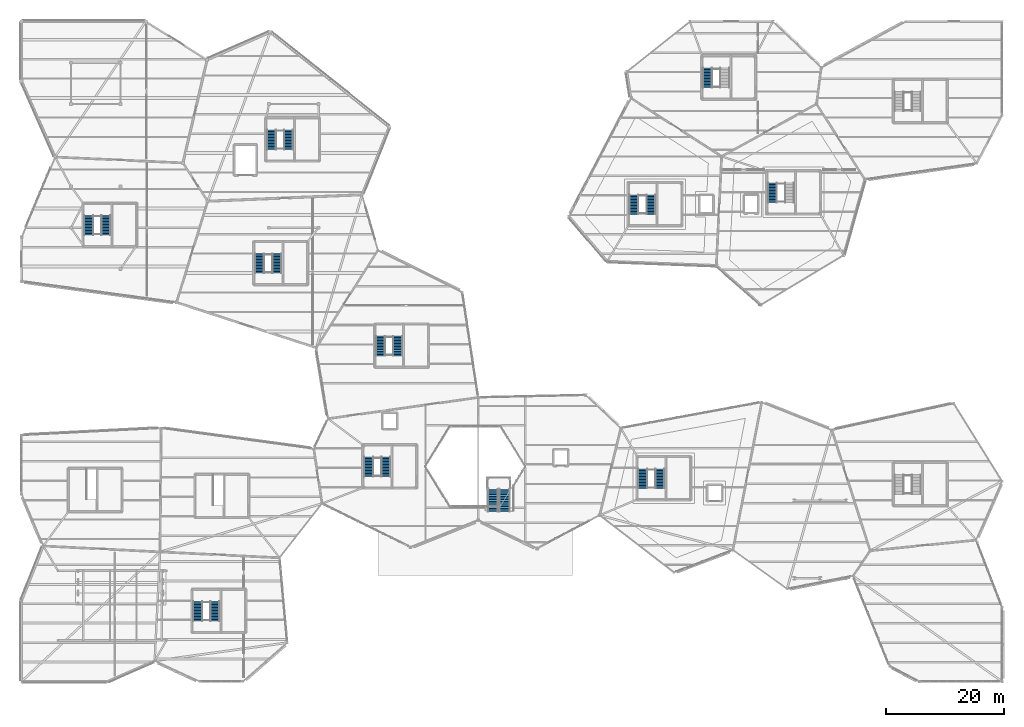
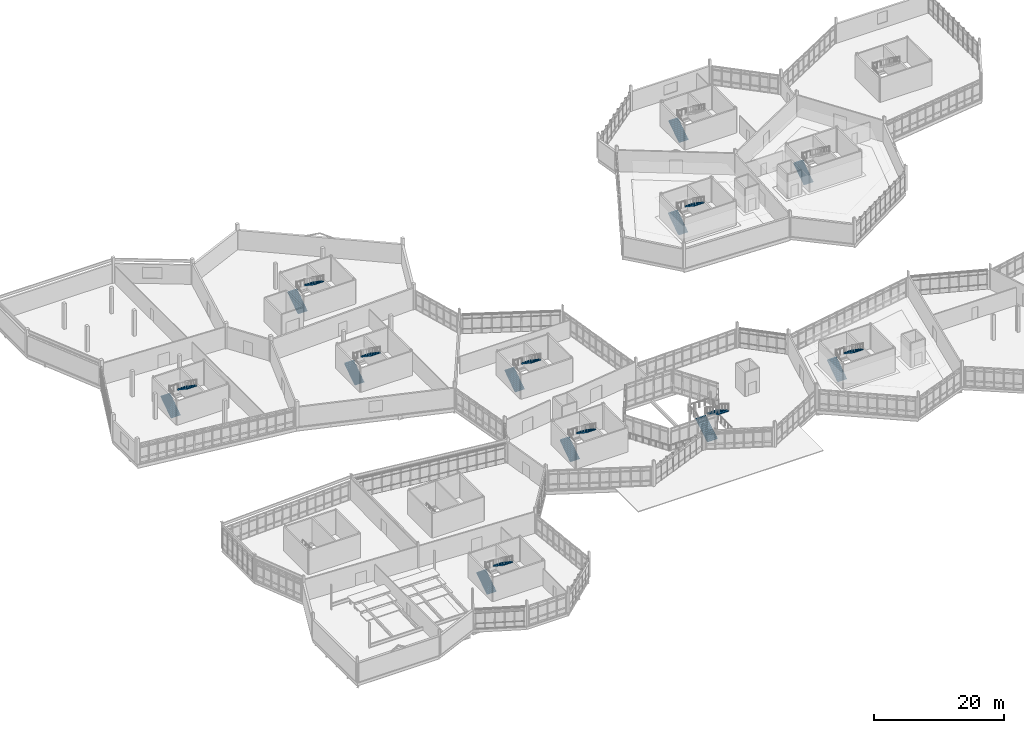
# One storey, part 120 of 134: 20 stair flights, 11 elements without a shape of their own.
"""IFC4 building model written with IfcOpenShell, lengths in metres."""

from ifc_helpers import new_model, si_unit, direction, frame, origin, place, context, subcontext, project, spatial, polyline, outline, extrude, material, type_object, element, aggregate, save


model = new_model("IFC4")

# Units and contexts
model_context = context("Model", 3, precision=1e-05, world=origin(), true_north=direction((0.0, 1.0)))
body_context = subcontext(model_context, "Body", "Model", "MODEL_VIEW")
ifc_project = project(units=[si_unit("LENGTHUNIT", "METRE"), si_unit("AREAUNIT", "SQUARE_METRE"), si_unit("VOLUMEUNIT", "CUBIC_METRE"), si_unit("PLANEANGLEUNIT", "RADIAN"), si_unit("MASSUNIT", "GRAM", prefix="KILO")], contexts=[model_context])

# Site, building, storey
site_placement = place(None, origin())
site = spatial("IfcSite", under=ifc_project, at=site_placement, CompositionType="ELEMENT")
building_placement = place(site_placement, origin())
building = spatial("IfcBuilding", under=site, at=building_placement, Name="Tameran Prism Museum", CompositionType="ELEMENT")
storey_placement = place(building_placement, frame((0.0, 0.0, 5.39990234375)))
storey = spatial("IfcBuildingStorey", under=building, at=storey_placement, Name="L01", CompositionType="ELEMENT", Elevation=5.39990234375)

# Stair, stair flights
ifc_material_1 = material(Name="Concrete N40 (40 MPa)", Category="concrete")
stair_type_1 = type_object("IfcStairType", Name="ST-CORE-48", PredefinedType="HALF_TURN_STAIR", material=ifc_material_1)
stair_1_placement = place(storey_placement, origin())
stair_1 = element("IfcStair", 1, at=stair_1_placement, inside=storey, type_object=stair_type_1, Name="Fire-Isolated Stair ST-01-L01", PredefinedType="HALF_TURN_STAIR")
ifc_material_2 = material(Name="Concrete N40 (40 MPa)", Category="concrete")
stair_flight_type_1 = type_object("IfcStairFlightType", Name="SF-RC-165", PredefinedType="STRAIGHT", material=ifc_material_2)
stair_flight_1_placement = place(storey_placement, frame((103.9150390625, 79.280029296875, 0.0), z_axis=(0.0, 0.0, 1.0), x_axis=(0.0, 1.0, 0.0)))
stair_flight_1 = element("IfcStairFlight", 2, at=stair_flight_1_placement, type_object=stair_flight_type_1, Name="ST-01-L01 flight 1", NumberOfRisers=14, NumberOfTreads=13, PredefinedType="STRAIGHT", RiserHeight=0.171429, TreadLength=0.255, context=body_context, shape_type="SweptSolid", body=[
    extrude(outline(polyline([(0.0, 0.0), (0.0, 0.17138671875), (0.2548828125, 0.17138671875), (0.2548828125, 0.3427734375), (0.510009765625, 0.3427734375), (0.510009765625, 0.514404296875), (0.764892578125, 0.514404296875), (0.764892578125, 0.685791015625), (1.02001953125, 0.685791015625), (1.02001953125, 0.857177734375), (1.27490234375, 0.857177734375), (1.27490234375, 1.028564453125), (1.530029296875, 1.028564453125), (1.530029296875, 1.199951171875), (1.784912109375, 1.199951171875), (1.784912109375, 1.371337890625), (2.0400390625, 1.371337890625), (2.0400390625, 1.54296875), (2.294921875, 1.54296875), (2.294921875, 1.71435546875), (2.550048828125, 1.71435546875), (2.550048828125, 1.8857421875), (2.804931640625, 1.8857421875), (2.804931640625, 2.05712890625), (3.06005859375, 2.05712890625), (3.06005859375, 2.228515625), (3.31494140625, 2.228515625), (3.31494140625, 2.39990234375), (3.31494140625, 2.0478515625), (0.268798828125, 0.0), (0.0, 0.0)])), frame((0.0, 0.824951171875, 0.0), z_axis=(0.0, -1.0, 0.0), x_axis=(1.0, 0.0, 0.0)), (0.0, 0.0, 1.0), 1.64990234375),
])
stair_flight_2_placement = place(storey_placement, frame((106.8349609375, 82.594970703125, 2.400146484375), z_axis=(0.0, 0.0, 1.0), x_axis=(0.0, -1.0, 0.0)))
stair_flight_2 = element("IfcStairFlight", 3, at=stair_flight_2_placement, type_object=stair_flight_type_1, Name="ST-01-L01 flight 2", NumberOfRisers=14, NumberOfTreads=13, PredefinedType="STRAIGHT", RiserHeight=0.171429, TreadLength=0.255, context=body_context, shape_type="SweptSolid", body=[
    extrude(outline(polyline([(0.0, 0.0), (0.0, 0.17138671875), (0.2548828125, 0.17138671875), (0.2548828125, 0.3427734375), (0.510009765625, 0.3427734375), (0.510009765625, 0.514404296875), (0.764892578125, 0.514404296875), (0.764892578125, 0.685791015625), (1.02001953125, 0.685791015625), (1.02001953125, 0.857177734375), (1.27490234375, 0.857177734375), (1.27490234375, 1.028564453125), (1.530029296875, 1.028564453125), (1.530029296875, 1.199951171875), (1.784912109375, 1.199951171875), (1.784912109375, 1.371337890625), (2.0400390625, 1.371337890625), (2.0400390625, 1.54296875), (2.294921875, 1.54296875), (2.294921875, 1.71435546875), (2.550048828125, 1.71435546875), (2.550048828125, 1.8857421875), (2.804931640625, 1.8857421875), (2.804931640625, 2.05712890625), (3.06005859375, 2.05712890625), (3.06005859375, 2.228515625), (3.31494140625, 2.228515625), (3.31494140625, 2.39990234375), (3.31494140625, 2.0478515625), (0.268798828125, 0.0), (0.0, 0.0)])), frame((0.0, 0.824951171875, 0.0), z_axis=(0.0, -1.0, 0.0), x_axis=(1.0, 0.0, 0.0)), (0.0, 0.0, 1.0), 1.64990234375),
])
aggregate(stair_1, [stair_flight_1, stair_flight_2])

# Stair, stair flight
stair_2_placement = place(storey_placement, origin())
stair_2 = element("IfcStair", 4, at=stair_2_placement, inside=storey, type_object=stair_type_1, Name="Fire-Isolated Stair ST-02-L01", PredefinedType="HALF_TURN_STAIR")
stair_flight_3_placement = place(storey_placement, frame((127.4150390625, 81.280029296875, 0.0), z_axis=(0.0, 0.0, 1.0), x_axis=(0.0, 1.0, 0.0)))
stair_flight_3 = element("IfcStairFlight", 5, at=stair_flight_3_placement, type_object=stair_flight_type_1, Name="ST-02-L01 flight 1", NumberOfRisers=14, NumberOfTreads=13, PredefinedType="STRAIGHT", RiserHeight=0.171429, TreadLength=0.255, context=body_context, shape_type="SweptSolid", body=[
    extrude(outline(polyline([(0.0, 0.0), (0.0, 0.17138671875), (0.2548828125, 0.17138671875), (0.2548828125, 0.3427734375), (0.510009765625, 0.3427734375), (0.510009765625, 0.514404296875), (0.764892578125, 0.514404296875), (0.764892578125, 0.685791015625), (1.02001953125, 0.685791015625), (1.02001953125, 0.857177734375), (1.27490234375, 0.857177734375), (1.27490234375, 1.028564453125), (1.530029296875, 1.028564453125), (1.530029296875, 1.199951171875), (1.784912109375, 1.199951171875), (1.784912109375, 1.371337890625), (2.0400390625, 1.371337890625), (2.0400390625, 1.54296875), (2.294921875, 1.54296875), (2.294921875, 1.71435546875), (2.550048828125, 1.71435546875), (2.550048828125, 1.8857421875), (2.804931640625, 1.8857421875), (2.804931640625, 2.05712890625), (3.06005859375, 2.05712890625), (3.06005859375, 2.228515625), (3.31494140625, 2.228515625), (3.31494140625, 2.39990234375), (3.31494140625, 2.0478515625), (0.268798828125, 0.0), (0.0, 0.0)])), frame((0.0, 0.824951171875, 0.0), z_axis=(0.0, -1.0, 0.0), x_axis=(1.0, 0.0, 0.0)), (0.0, 0.0, 1.0), 1.64990234375),
])
aggregate(stair_2, [stair_flight_3])

stair_3_placement = place(storey_placement, origin())
stair_3 = element("IfcStair", 6, at=stair_3_placement, inside=storey, type_object=stair_type_1, Name="Fire-Isolated Stair ST-07-L01", PredefinedType="HALF_TURN_STAIR")
stair_flight_4_placement = place(storey_placement, frame((116.4150390625, 100.780029296875, 0.0), z_axis=(0.0, 0.0, 1.0), x_axis=(0.0, 1.0, 0.0)))
stair_flight_4 = element("IfcStairFlight", 7, at=stair_flight_4_placement, type_object=stair_flight_type_1, Name="ST-07-L01 flight 1", NumberOfRisers=14, NumberOfTreads=13, PredefinedType="STRAIGHT", RiserHeight=0.171429, TreadLength=0.255, context=body_context, shape_type="SweptSolid", body=[
    extrude(outline(polyline([(0.0, 0.0), (0.0, 0.17138671875), (0.2548828125, 0.17138671875), (0.2548828125, 0.3427734375), (0.510009765625, 0.3427734375), (0.510009765625, 0.514404296875), (0.764892578125, 0.514404296875), (0.764892578125, 0.685791015625), (1.02001953125, 0.685791015625), (1.02001953125, 0.857177734375), (1.27490234375, 0.857177734375), (1.27490234375, 1.028564453125), (1.530029296875, 1.028564453125), (1.530029296875, 1.199951171875), (1.784912109375, 1.199951171875), (1.784912109375, 1.371337890625), (2.0400390625, 1.371337890625), (2.0400390625, 1.54296875), (2.294921875, 1.54296875), (2.294921875, 1.71435546875), (2.550048828125, 1.71435546875), (2.550048828125, 1.8857421875), (2.804931640625, 1.8857421875), (2.804931640625, 2.05712890625), (3.06005859375, 2.05712890625), (3.06005859375, 2.228515625), (3.31494140625, 2.228515625), (3.31494140625, 2.39990234375), (3.31494140625, 2.0478515625), (0.268798828125, 0.0), (0.0, 0.0)])), frame((0.0, 0.824951171875, 0.0), z_axis=(0.0, -1.0, 0.0), x_axis=(1.0, 0.0, 0.0)), (0.0, 0.0, 1.0), 1.64990234375),
])
aggregate(stair_3, [stair_flight_4])

# Stair, stair flights
stair_4_placement = place(storey_placement, origin())
stair_4 = element("IfcStair", 8, at=stair_4_placement, inside=storey, type_object=stair_type_1, Name="Fire-Isolated Stair ST-03-L01", PredefinedType="HALF_TURN_STAIR")
stair_flight_5_placement = place(storey_placement, frame((58.9150390625, 34.780029296875, 0.0), z_axis=(0.0, 0.0, 1.0), x_axis=(0.0, 1.0, 0.0)))
stair_flight_5 = element("IfcStairFlight", 9, at=stair_flight_5_placement, type_object=stair_flight_type_1, Name="ST-03-L01 flight 1", NumberOfRisers=14, NumberOfTreads=13, PredefinedType="STRAIGHT", RiserHeight=0.171429, TreadLength=0.255, context=body_context, shape_type="SweptSolid", body=[
    extrude(outline(polyline([(0.0, 0.0), (0.0, 0.17138671875), (0.2548828125, 0.17138671875), (0.2548828125, 0.3427734375), (0.510009765625, 0.3427734375), (0.510009765625, 0.514404296875), (0.764892578125, 0.514404296875), (0.764892578125, 0.685791015625), (1.02001953125, 0.685791015625), (1.02001953125, 0.857177734375), (1.27490234375, 0.857177734375), (1.27490234375, 1.028564453125), (1.530029296875, 1.028564453125), (1.530029296875, 1.199951171875), (1.784912109375, 1.199951171875), (1.784912109375, 1.371337890625), (2.0400390625, 1.371337890625), (2.0400390625, 1.54296875), (2.294921875, 1.54296875), (2.294921875, 1.71435546875), (2.550048828125, 1.71435546875), (2.550048828125, 1.8857421875), (2.804931640625, 1.8857421875), (2.804931640625, 2.05712890625), (3.06005859375, 2.05712890625), (3.06005859375, 2.228515625), (3.31494140625, 2.228515625), (3.31494140625, 2.39990234375), (3.31494140625, 2.0478515625), (0.268798828125, 0.0), (0.0, 0.0)])), frame((0.0, 0.824951171875, 0.0), z_axis=(0.0, -1.0, 0.0), x_axis=(1.0, 0.0, 0.0)), (0.0, 0.0, 1.0), 1.64990234375),
])
stair_flight_6_placement = place(storey_placement, frame((61.8349609375, 38.094970703125, 2.400146484375), z_axis=(0.0, 0.0, 1.0), x_axis=(0.0, -1.0, 0.0)))
stair_flight_6 = element("IfcStairFlight", 10, at=stair_flight_6_placement, type_object=stair_flight_type_1, Name="ST-03-L01 flight 2", NumberOfRisers=14, NumberOfTreads=13, PredefinedType="STRAIGHT", RiserHeight=0.171429, TreadLength=0.255, context=body_context, shape_type="SweptSolid", body=[
    extrude(outline(polyline([(0.0, 0.0), (0.0, 0.17138671875), (0.2548828125, 0.17138671875), (0.2548828125, 0.3427734375), (0.510009765625, 0.3427734375), (0.510009765625, 0.514404296875), (0.764892578125, 0.514404296875), (0.764892578125, 0.685791015625), (1.02001953125, 0.685791015625), (1.02001953125, 0.857177734375), (1.27490234375, 0.857177734375), (1.27490234375, 1.028564453125), (1.530029296875, 1.028564453125), (1.530029296875, 1.199951171875), (1.784912109375, 1.199951171875), (1.784912109375, 1.371337890625), (2.0400390625, 1.371337890625), (2.0400390625, 1.54296875), (2.294921875, 1.54296875), (2.294921875, 1.71435546875), (2.550048828125, 1.71435546875), (2.550048828125, 1.8857421875), (2.804931640625, 1.8857421875), (2.804931640625, 2.05712890625), (3.06005859375, 2.05712890625), (3.06005859375, 2.228515625), (3.31494140625, 2.228515625), (3.31494140625, 2.39990234375), (3.31494140625, 2.0478515625), (0.268798828125, 0.0), (0.0, 0.0)])), frame((0.0, 0.824951171875, 0.0), z_axis=(0.0, -1.0, 0.0), x_axis=(1.0, 0.0, 0.0)), (0.0, 0.0, 1.0), 1.64990234375),
])
aggregate(stair_4, [stair_flight_5, stair_flight_6])

stair_5_placement = place(storey_placement, origin())
stair_5 = element("IfcStair", 11, at=stair_5_placement, inside=storey, type_object=stair_type_1, Name="Fire-Isolated Stair ST-08-L01", PredefinedType="HALF_TURN_STAIR")
stair_flight_7_placement = place(storey_placement, frame((60.9150390625, 55.280029296875, 0.0), z_axis=(0.0, 0.0, 1.0), x_axis=(0.0, 1.0, 0.0)))
stair_flight_7 = element("IfcStairFlight", 12, at=stair_flight_7_placement, type_object=stair_flight_type_1, Name="ST-08-L01 flight 1", NumberOfRisers=14, NumberOfTreads=13, PredefinedType="STRAIGHT", RiserHeight=0.171429, TreadLength=0.255, context=body_context, shape_type="SweptSolid", body=[
    extrude(outline(polyline([(0.0, 0.0), (0.0, 0.17138671875), (0.2548828125, 0.17138671875), (0.2548828125, 0.3427734375), (0.510009765625, 0.3427734375), (0.510009765625, 0.514404296875), (0.764892578125, 0.514404296875), (0.764892578125, 0.685791015625), (1.02001953125, 0.685791015625), (1.02001953125, 0.857177734375), (1.27490234375, 0.857177734375), (1.27490234375, 1.028564453125), (1.530029296875, 1.028564453125), (1.530029296875, 1.199951171875), (1.784912109375, 1.199951171875), (1.784912109375, 1.371337890625), (2.0400390625, 1.371337890625), (2.0400390625, 1.54296875), (2.294921875, 1.54296875), (2.294921875, 1.71435546875), (2.550048828125, 1.71435546875), (2.550048828125, 1.8857421875), (2.804931640625, 1.8857421875), (2.804931640625, 2.05712890625), (3.06005859375, 2.05712890625), (3.06005859375, 2.228515625), (3.31494140625, 2.228515625), (3.31494140625, 2.39990234375), (3.31494140625, 2.0478515625), (0.268798828125, 0.0), (0.0, 0.0)])), frame((0.0, 0.824951171875, 0.0), z_axis=(0.0, -1.0, 0.0), x_axis=(1.0, 0.0, 0.0)), (0.0, 0.0, 1.0), 1.64990234375),
])
stair_flight_8_placement = place(storey_placement, frame((63.8349609375, 58.594970703125, 2.400146484375), z_axis=(0.0, 0.0, 1.0), x_axis=(0.0, -1.0, 0.0)))
stair_flight_8 = element("IfcStairFlight", 13, at=stair_flight_8_placement, type_object=stair_flight_type_1, Name="ST-08-L01 flight 2", NumberOfRisers=14, NumberOfTreads=13, PredefinedType="STRAIGHT", RiserHeight=0.171429, TreadLength=0.255, context=body_context, shape_type="SweptSolid", body=[
    extrude(outline(polyline([(0.0, 0.0), (0.0, 0.17138671875), (0.2548828125, 0.17138671875), (0.2548828125, 0.3427734375), (0.510009765625, 0.3427734375), (0.510009765625, 0.514404296875), (0.764892578125, 0.514404296875), (0.764892578125, 0.685791015625), (1.02001953125, 0.685791015625), (1.02001953125, 0.857177734375), (1.27490234375, 0.857177734375), (1.27490234375, 1.028564453125), (1.530029296875, 1.028564453125), (1.530029296875, 1.199951171875), (1.784912109375, 1.199951171875), (1.784912109375, 1.371337890625), (2.0400390625, 1.371337890625), (2.0400390625, 1.54296875), (2.294921875, 1.54296875), (2.294921875, 1.71435546875), (2.550048828125, 1.71435546875), (2.550048828125, 1.8857421875), (2.804931640625, 1.8857421875), (2.804931640625, 2.05712890625), (3.06005859375, 2.05712890625), (3.06005859375, 2.228515625), (3.31494140625, 2.228515625), (3.31494140625, 2.39990234375), (3.31494140625, 2.0478515625), (0.268798828125, 0.0), (0.0, 0.0)])), frame((0.0, 0.824951171875, 0.0), z_axis=(0.0, -1.0, 0.0), x_axis=(1.0, 0.0, 0.0)), (0.0, 0.0, 1.0), 1.64990234375),
])
aggregate(stair_5, [stair_flight_7, stair_flight_8])

stair_6_placement = place(storey_placement, origin())
stair_6 = element("IfcStair", 14, at=stair_6_placement, inside=storey, type_object=stair_type_1, Name="Fire-Isolated Stair ST-04-L01", PredefinedType="HALF_TURN_STAIR")
stair_flight_9_placement = place(storey_placement, frame((105.4150390625, 32.780029296875, 0.0), z_axis=(0.0, 0.0, 1.0), x_axis=(0.0, 1.0, 0.0)))
stair_flight_9 = element("IfcStairFlight", 15, at=stair_flight_9_placement, type_object=stair_flight_type_1, Name="ST-04-L01 flight 1", NumberOfRisers=14, NumberOfTreads=13, PredefinedType="STRAIGHT", RiserHeight=0.171429, TreadLength=0.255, context=body_context, shape_type="SweptSolid", body=[
    extrude(outline(polyline([(0.0, 0.0), (0.0, 0.17138671875), (0.2548828125, 0.17138671875), (0.2548828125, 0.3427734375), (0.510009765625, 0.3427734375), (0.510009765625, 0.514404296875), (0.764892578125, 0.514404296875), (0.764892578125, 0.685791015625), (1.02001953125, 0.685791015625), (1.02001953125, 0.857177734375), (1.27490234375, 0.857177734375), (1.27490234375, 1.028564453125), (1.530029296875, 1.028564453125), (1.530029296875, 1.199951171875), (1.784912109375, 1.199951171875), (1.784912109375, 1.371337890625), (2.0400390625, 1.371337890625), (2.0400390625, 1.54296875), (2.294921875, 1.54296875), (2.294921875, 1.71435546875), (2.550048828125, 1.71435546875), (2.550048828125, 1.8857421875), (2.804931640625, 1.8857421875), (2.804931640625, 2.05712890625), (3.06005859375, 2.05712890625), (3.06005859375, 2.228515625), (3.31494140625, 2.228515625), (3.31494140625, 2.39990234375), (3.31494140625, 2.0478515625), (0.268798828125, 0.0), (0.0, 0.0)])), frame((0.0, 0.824951171875, 0.0), z_axis=(0.0, -1.0, 0.0), x_axis=(1.0, 0.0, 0.0)), (0.0, 0.0, 1.0), 1.64990234375),
])
stair_flight_10_placement = place(storey_placement, frame((108.3349609375, 36.094970703125, 2.400146484375), z_axis=(0.0, 0.0, 1.0), x_axis=(0.0, -1.0, 0.0)))
stair_flight_10 = element("IfcStairFlight", 16, at=stair_flight_10_placement, type_object=stair_flight_type_1, Name="ST-04-L01 flight 2", NumberOfRisers=14, NumberOfTreads=13, PredefinedType="STRAIGHT", RiserHeight=0.171429, TreadLength=0.255, context=body_context, shape_type="SweptSolid", body=[
    extrude(outline(polyline([(0.0, 0.0), (0.0, 0.17138671875), (0.2548828125, 0.17138671875), (0.2548828125, 0.3427734375), (0.510009765625, 0.3427734375), (0.510009765625, 0.514404296875), (0.764892578125, 0.514404296875), (0.764892578125, 0.685791015625), (1.02001953125, 0.685791015625), (1.02001953125, 0.857177734375), (1.27490234375, 0.857177734375), (1.27490234375, 1.028564453125), (1.530029296875, 1.028564453125), (1.530029296875, 1.199951171875), (1.784912109375, 1.199951171875), (1.784912109375, 1.371337890625), (2.0400390625, 1.371337890625), (2.0400390625, 1.54296875), (2.294921875, 1.54296875), (2.294921875, 1.71435546875), (2.550048828125, 1.71435546875), (2.550048828125, 1.8857421875), (2.804931640625, 1.8857421875), (2.804931640625, 2.05712890625), (3.06005859375, 2.05712890625), (3.06005859375, 2.228515625), (3.31494140625, 2.228515625), (3.31494140625, 2.39990234375), (3.31494140625, 2.0478515625), (0.268798828125, 0.0), (0.0, 0.0)])), frame((0.0, 0.824951171875, 0.0), z_axis=(0.0, -1.0, 0.0), x_axis=(1.0, 0.0, 0.0)), (0.0, 0.0, 1.0), 1.64990234375),
])
aggregate(stair_6, [stair_flight_9, stair_flight_10])

stair_7_placement = place(storey_placement, origin())
stair_7 = element("IfcStair", 17, at=stair_7_placement, inside=storey, type_object=stair_type_1, Name="Fire-Isolated Stair ST-05-L01", PredefinedType="HALF_TURN_STAIR")
stair_flight_11_placement = place(storey_placement, frame((40.4150390625, 69.280029296875, 0.0), z_axis=(0.0, 0.0, 1.0), x_axis=(0.0, 1.0, 0.0)))
stair_flight_11 = element("IfcStairFlight", 18, at=stair_flight_11_placement, type_object=stair_flight_type_1, Name="ST-05-L01 flight 1", NumberOfRisers=14, NumberOfTreads=13, PredefinedType="STRAIGHT", RiserHeight=0.171429, TreadLength=0.255, context=body_context, shape_type="SweptSolid", body=[
    extrude(outline(polyline([(0.0, 0.0), (0.0, 0.17138671875), (0.2548828125, 0.17138671875), (0.2548828125, 0.3427734375), (0.510009765625, 0.3427734375), (0.510009765625, 0.514404296875), (0.764892578125, 0.514404296875), (0.764892578125, 0.685791015625), (1.02001953125, 0.685791015625), (1.02001953125, 0.857177734375), (1.27490234375, 0.857177734375), (1.27490234375, 1.028564453125), (1.530029296875, 1.028564453125), (1.530029296875, 1.199951171875), (1.784912109375, 1.199951171875), (1.784912109375, 1.371337890625), (2.0400390625, 1.371337890625), (2.0400390625, 1.54296875), (2.294921875, 1.54296875), (2.294921875, 1.71435546875), (2.550048828125, 1.71435546875), (2.550048828125, 1.8857421875), (2.804931640625, 1.8857421875), (2.804931640625, 2.05712890625), (3.06005859375, 2.05712890625), (3.06005859375, 2.228515625), (3.31494140625, 2.228515625), (3.31494140625, 2.39990234375), (3.31494140625, 2.0478515625), (0.268798828125, 0.0), (0.0, 0.0)])), frame((0.0, 0.824951171875, 0.0), z_axis=(0.0, -1.0, 0.0), x_axis=(1.0, 0.0, 0.0)), (0.0, 0.0, 1.0), 1.64990234375),
])
stair_flight_12_placement = place(storey_placement, frame((43.3349609375, 72.594970703125, 2.400146484375), z_axis=(0.0, 0.0, 1.0), x_axis=(0.0, -1.0, 0.0)))
stair_flight_12 = element("IfcStairFlight", 19, at=stair_flight_12_placement, type_object=stair_flight_type_1, Name="ST-05-L01 flight 2", NumberOfRisers=14, NumberOfTreads=13, PredefinedType="STRAIGHT", RiserHeight=0.171429, TreadLength=0.255, context=body_context, shape_type="SweptSolid", body=[
    extrude(outline(polyline([(0.0, 0.0), (0.0, 0.17138671875), (0.2548828125, 0.17138671875), (0.2548828125, 0.3427734375), (0.510009765625, 0.3427734375), (0.510009765625, 0.514404296875), (0.764892578125, 0.514404296875), (0.764892578125, 0.685791015625), (1.02001953125, 0.685791015625), (1.02001953125, 0.857177734375), (1.27490234375, 0.857177734375), (1.27490234375, 1.028564453125), (1.530029296875, 1.028564453125), (1.530029296875, 1.199951171875), (1.784912109375, 1.199951171875), (1.784912109375, 1.371337890625), (2.0400390625, 1.371337890625), (2.0400390625, 1.54296875), (2.294921875, 1.54296875), (2.294921875, 1.71435546875), (2.550048828125, 1.71435546875), (2.550048828125, 1.8857421875), (2.804931640625, 1.8857421875), (2.804931640625, 2.05712890625), (3.06005859375, 2.05712890625), (3.06005859375, 2.228515625), (3.31494140625, 2.228515625), (3.31494140625, 2.39990234375), (3.31494140625, 2.0478515625), (0.268798828125, 0.0), (0.0, 0.0)])), frame((0.0, 0.824951171875, 0.0), z_axis=(0.0, -1.0, 0.0), x_axis=(1.0, 0.0, 0.0)), (0.0, 0.0, 1.0), 1.64990234375),
])
aggregate(stair_7, [stair_flight_11, stair_flight_12])

stair_8_placement = place(storey_placement, origin())
stair_8 = element("IfcStair", 20, at=stair_8_placement, inside=storey, type_object=stair_type_1, Name="Fire-Isolated Stair ST-06-L01", PredefinedType="HALF_TURN_STAIR")
stair_flight_13_placement = place(storey_placement, frame((29.9150390625, 10.280029296875, 0.0), z_axis=(0.0, 0.0, 1.0), x_axis=(0.0, 1.0, 0.0)))
stair_flight_13 = element("IfcStairFlight", 21, at=stair_flight_13_placement, type_object=stair_flight_type_1, Name="ST-06-L01 flight 1", NumberOfRisers=14, NumberOfTreads=13, PredefinedType="STRAIGHT", RiserHeight=0.171429, TreadLength=0.255, context=body_context, shape_type="SweptSolid", body=[
    extrude(outline(polyline([(0.0, 0.0), (0.0, 0.17138671875), (0.2548828125, 0.17138671875), (0.2548828125, 0.3427734375), (0.510009765625, 0.3427734375), (0.510009765625, 0.514404296875), (0.764892578125, 0.514404296875), (0.764892578125, 0.685791015625), (1.02001953125, 0.685791015625), (1.02001953125, 0.857177734375), (1.27490234375, 0.857177734375), (1.27490234375, 1.028564453125), (1.530029296875, 1.028564453125), (1.530029296875, 1.199951171875), (1.784912109375, 1.199951171875), (1.784912109375, 1.371337890625), (2.0400390625, 1.371337890625), (2.0400390625, 1.54296875), (2.294921875, 1.54296875), (2.294921875, 1.71435546875), (2.550048828125, 1.71435546875), (2.550048828125, 1.8857421875), (2.804931640625, 1.8857421875), (2.804931640625, 2.05712890625), (3.06005859375, 2.05712890625), (3.06005859375, 2.228515625), (3.31494140625, 2.228515625), (3.31494140625, 2.39990234375), (3.31494140625, 2.0478515625), (0.268798828125, 0.0), (0.0, 0.0)])), frame((0.0, 0.824951171875, 0.0), z_axis=(0.0, -1.0, 0.0), x_axis=(1.0, 0.0, 0.0)), (0.0, 0.0, 1.0), 1.64990234375),
])
stair_flight_14_placement = place(storey_placement, frame((32.8349609375, 13.594970703125, 2.400146484375), z_axis=(0.0, 0.0, 1.0), x_axis=(0.0, -1.0, 0.0)))
stair_flight_14 = element("IfcStairFlight", 22, at=stair_flight_14_placement, type_object=stair_flight_type_1, Name="ST-06-L01 flight 2", NumberOfRisers=14, NumberOfTreads=13, PredefinedType="STRAIGHT", RiserHeight=0.171429, TreadLength=0.255, context=body_context, shape_type="SweptSolid", body=[
    extrude(outline(polyline([(0.0, 0.0), (0.0, 0.17138671875), (0.2548828125, 0.17138671875), (0.2548828125, 0.3427734375), (0.510009765625, 0.3427734375), (0.510009765625, 0.514404296875), (0.764892578125, 0.514404296875), (0.764892578125, 0.685791015625), (1.02001953125, 0.685791015625), (1.02001953125, 0.857177734375), (1.27490234375, 0.857177734375), (1.27490234375, 1.028564453125), (1.530029296875, 1.028564453125), (1.530029296875, 1.199951171875), (1.784912109375, 1.199951171875), (1.784912109375, 1.371337890625), (2.0400390625, 1.371337890625), (2.0400390625, 1.54296875), (2.294921875, 1.54296875), (2.294921875, 1.71435546875), (2.550048828125, 1.71435546875), (2.550048828125, 1.8857421875), (2.804931640625, 1.8857421875), (2.804931640625, 2.05712890625), (3.06005859375, 2.05712890625), (3.06005859375, 2.228515625), (3.31494140625, 2.228515625), (3.31494140625, 2.39990234375), (3.31494140625, 2.0478515625), (0.268798828125, 0.0), (0.0, 0.0)])), frame((0.0, 0.824951171875, 0.0), z_axis=(0.0, -1.0, 0.0), x_axis=(1.0, 0.0, 0.0)), (0.0, 0.0, 1.0), 1.64990234375),
])
aggregate(stair_8, [stair_flight_13, stair_flight_14])

stair_9_placement = place(storey_placement, origin())
stair_9 = element("IfcStair", 23, at=stair_9_placement, inside=storey, type_object=stair_type_1, Name="Fire-Isolated Stair ST-09-L01", PredefinedType="HALF_TURN_STAIR")
stair_flight_15_placement = place(storey_placement, frame((11.4150390625, 75.780029296875, 0.0), z_axis=(0.0, 0.0, 1.0), x_axis=(0.0, 1.0, 0.0)))
stair_flight_15 = element("IfcStairFlight", 24, at=stair_flight_15_placement, type_object=stair_flight_type_1, Name="ST-09-L01 flight 1", NumberOfRisers=14, NumberOfTreads=13, PredefinedType="STRAIGHT", RiserHeight=0.171429, TreadLength=0.255, context=body_context, shape_type="SweptSolid", body=[
    extrude(outline(polyline([(0.0, 0.0), (0.0, 0.17138671875), (0.2548828125, 0.17138671875), (0.2548828125, 0.3427734375), (0.510009765625, 0.3427734375), (0.510009765625, 0.514404296875), (0.764892578125, 0.514404296875), (0.764892578125, 0.685791015625), (1.02001953125, 0.685791015625), (1.02001953125, 0.857177734375), (1.27490234375, 0.857177734375), (1.27490234375, 1.028564453125), (1.530029296875, 1.028564453125), (1.530029296875, 1.199951171875), (1.784912109375, 1.199951171875), (1.784912109375, 1.371337890625), (2.0400390625, 1.371337890625), (2.0400390625, 1.54296875), (2.294921875, 1.54296875), (2.294921875, 1.71435546875), (2.550048828125, 1.71435546875), (2.550048828125, 1.8857421875), (2.804931640625, 1.8857421875), (2.804931640625, 2.05712890625), (3.06005859375, 2.05712890625), (3.06005859375, 2.228515625), (3.31494140625, 2.228515625), (3.31494140625, 2.39990234375), (3.31494140625, 2.0478515625), (0.268798828125, 0.0), (0.0, 0.0)])), frame((0.0, 0.824951171875, 0.0), z_axis=(0.0, -1.0, 0.0), x_axis=(1.0, 0.0, 0.0)), (0.0, 0.0, 1.0), 1.64990234375),
])
stair_flight_16_placement = place(storey_placement, frame((14.3349609375, 79.094970703125, 2.400146484375), z_axis=(0.0, 0.0, 1.0), x_axis=(0.0, -1.0, 0.0)))
stair_flight_16 = element("IfcStairFlight", 25, at=stair_flight_16_placement, type_object=stair_flight_type_1, Name="ST-09-L01 flight 2", NumberOfRisers=14, NumberOfTreads=13, PredefinedType="STRAIGHT", RiserHeight=0.171429, TreadLength=0.255, context=body_context, shape_type="SweptSolid", body=[
    extrude(outline(polyline([(0.0, 0.0), (0.0, 0.17138671875), (0.2548828125, 0.17138671875), (0.2548828125, 0.3427734375), (0.510009765625, 0.3427734375), (0.510009765625, 0.514404296875), (0.764892578125, 0.514404296875), (0.764892578125, 0.685791015625), (1.02001953125, 0.685791015625), (1.02001953125, 0.857177734375), (1.27490234375, 0.857177734375), (1.27490234375, 1.028564453125), (1.530029296875, 1.028564453125), (1.530029296875, 1.199951171875), (1.784912109375, 1.199951171875), (1.784912109375, 1.371337890625), (2.0400390625, 1.371337890625), (2.0400390625, 1.54296875), (2.294921875, 1.54296875), (2.294921875, 1.71435546875), (2.550048828125, 1.71435546875), (2.550048828125, 1.8857421875), (2.804931640625, 1.8857421875), (2.804931640625, 2.05712890625), (3.06005859375, 2.05712890625), (3.06005859375, 2.228515625), (3.31494140625, 2.228515625), (3.31494140625, 2.39990234375), (3.31494140625, 2.0478515625), (0.268798828125, 0.0), (0.0, 0.0)])), frame((0.0, 0.824951171875, 0.0), z_axis=(0.0, -1.0, 0.0), x_axis=(1.0, 0.0, 0.0)), (0.0, 0.0, 1.0), 1.64990234375),
])
aggregate(stair_9, [stair_flight_15, stair_flight_16])

stair_10_placement = place(storey_placement, origin())
stair_10 = element("IfcStair", 26, at=stair_10_placement, inside=storey, type_object=stair_type_1, Name="Fire-Isolated Stair ST-14-L01", PredefinedType="HALF_TURN_STAIR")
stair_flight_17_placement = place(storey_placement, frame((42.4150390625, 90.280029296875, 0.0), z_axis=(0.0, 0.0, 1.0), x_axis=(0.0, 1.0, 0.0)))
stair_flight_17 = element("IfcStairFlight", 27, at=stair_flight_17_placement, type_object=stair_flight_type_1, Name="ST-14-L01 flight 1", NumberOfRisers=14, NumberOfTreads=13, PredefinedType="STRAIGHT", RiserHeight=0.171429, TreadLength=0.255, context=body_context, shape_type="SweptSolid", body=[
    extrude(outline(polyline([(0.0, 0.0), (0.0, 0.17138671875), (0.2548828125, 0.17138671875), (0.2548828125, 0.3427734375), (0.510009765625, 0.3427734375), (0.510009765625, 0.514404296875), (0.764892578125, 0.514404296875), (0.764892578125, 0.685791015625), (1.02001953125, 0.685791015625), (1.02001953125, 0.857177734375), (1.27490234375, 0.857177734375), (1.27490234375, 1.028564453125), (1.530029296875, 1.028564453125), (1.530029296875, 1.199951171875), (1.784912109375, 1.199951171875), (1.784912109375, 1.371337890625), (2.0400390625, 1.371337890625), (2.0400390625, 1.54296875), (2.294921875, 1.54296875), (2.294921875, 1.71435546875), (2.550048828125, 1.71435546875), (2.550048828125, 1.8857421875), (2.804931640625, 1.8857421875), (2.804931640625, 2.05712890625), (3.06005859375, 2.05712890625), (3.06005859375, 2.228515625), (3.31494140625, 2.228515625), (3.31494140625, 2.39990234375), (3.31494140625, 2.0478515625), (0.268798828125, 0.0), (0.0, 0.0)])), frame((0.0, 0.824951171875, 0.0), z_axis=(0.0, -1.0, 0.0), x_axis=(1.0, 0.0, 0.0)), (0.0, 0.0, 1.0), 1.64990234375),
])
stair_flight_18_placement = place(storey_placement, frame((45.3349609375, 93.594970703125, 2.400146484375), z_axis=(0.0, 0.0, 1.0), x_axis=(0.0, -1.0, 0.0)))
stair_flight_18 = element("IfcStairFlight", 28, at=stair_flight_18_placement, type_object=stair_flight_type_1, Name="ST-14-L01 flight 2", NumberOfRisers=14, NumberOfTreads=13, PredefinedType="STRAIGHT", RiserHeight=0.171429, TreadLength=0.255, context=body_context, shape_type="SweptSolid", body=[
    extrude(outline(polyline([(0.0, 0.0), (0.0, 0.17138671875), (0.2548828125, 0.17138671875), (0.2548828125, 0.3427734375), (0.510009765625, 0.3427734375), (0.510009765625, 0.514404296875), (0.764892578125, 0.514404296875), (0.764892578125, 0.685791015625), (1.02001953125, 0.685791015625), (1.02001953125, 0.857177734375), (1.27490234375, 0.857177734375), (1.27490234375, 1.028564453125), (1.530029296875, 1.028564453125), (1.530029296875, 1.199951171875), (1.784912109375, 1.199951171875), (1.784912109375, 1.371337890625), (2.0400390625, 1.371337890625), (2.0400390625, 1.54296875), (2.294921875, 1.54296875), (2.294921875, 1.71435546875), (2.550048828125, 1.71435546875), (2.550048828125, 1.8857421875), (2.804931640625, 1.8857421875), (2.804931640625, 2.05712890625), (3.06005859375, 2.05712890625), (3.06005859375, 2.228515625), (3.31494140625, 2.228515625), (3.31494140625, 2.39990234375), (3.31494140625, 2.0478515625), (0.268798828125, 0.0), (0.0, 0.0)])), frame((0.0, 0.824951171875, 0.0), z_axis=(0.0, -1.0, 0.0), x_axis=(1.0, 0.0, 0.0)), (0.0, 0.0, 1.0), 1.64990234375),
])
aggregate(stair_10, [stair_flight_17, stair_flight_18])

ifc_material_3 = material(Name="Steel Grade 350 (350 MPa)", Category="steel")
stair_type_2 = type_object("IfcStairType", Name="ST-ATR-48", PredefinedType="STRAIGHT_RUN_STAIR", material=ifc_material_3)
stair_11_placement = place(storey_placement, origin())
stair_11 = element("IfcStair", 29, at=stair_11_placement, inside=storey, type_object=stair_type_2, Name="Atrium Feature Stair ST-AT2", PredefinedType="STRAIGHT_RUN_STAIR")
ifc_material_4 = material(Name="Steel Grade 350 (350 MPa)", Category="steel")
stair_flight_type_2 = type_object("IfcStairFlightType", Name="SF-STL-180", PredefinedType="STRAIGHT", material=ifc_material_4)
stair_flight_19_placement = place(storey_placement, frame((80.0, 28.820068359375, 0.0), z_axis=(0.0, 0.0, 1.0), x_axis=(0.0, 1.0, 0.0)))
stair_flight_19 = element("IfcStairFlight", 30, at=stair_flight_19_placement, type_object=stair_flight_type_2, Name="ST-AT2 flight 1", NumberOfRisers=14, NumberOfTreads=13, PredefinedType="STRAIGHT", RiserHeight=0.171429, TreadLength=0.29, context=body_context, shape_type="SweptSolid", body=[
    extrude(outline(polyline([(0.0, 0.0), (0.0, 0.17138671875), (0.2900390625, 0.17138671875), (0.2900390625, 0.3427734375), (0.580078125, 0.3427734375), (0.580078125, 0.514404296875), (0.8701171875, 0.514404296875), (0.8701171875, 0.685791015625), (1.159912109375, 0.685791015625), (1.159912109375, 0.857177734375), (1.449951171875, 0.857177734375), (1.449951171875, 1.028564453125), (1.739990234375, 1.028564453125), (1.739990234375, 1.199951171875), (2.030029296875, 1.199951171875), (2.030029296875, 1.371337890625), (2.320068359375, 1.371337890625), (2.320068359375, 1.54296875), (2.610107421875, 1.54296875), (2.610107421875, 1.71435546875), (2.89990234375, 1.71435546875), (2.89990234375, 1.8857421875), (3.18994140625, 1.8857421875), (3.18994140625, 2.05712890625), (3.47998046875, 2.05712890625), (3.47998046875, 2.228515625), (3.77001953125, 2.228515625), (3.77001953125, 2.39990234375), (3.77001953125, 2.054443359375), (0.294677734375, 0.0), (0.0, 0.0)])), frame((0.0, 0.89990234375, 0.0), z_axis=(0.0, -1.0, 0.0), x_axis=(1.0, 0.0, 0.0)), (0.0, 0.0, 1.0), 1.800048828125),
])
stair_flight_20_placement = place(storey_placement, frame((82.0, 32.590087890625, 2.400146484375), z_axis=(0.0, 0.0, 1.0), x_axis=(0.0, -1.0, 0.0)))
stair_flight_20 = element("IfcStairFlight", 31, at=stair_flight_20_placement, type_object=stair_flight_type_2, Name="ST-AT2 flight 2", NumberOfRisers=14, NumberOfTreads=13, PredefinedType="STRAIGHT", RiserHeight=0.171429, TreadLength=0.29, context=body_context, shape_type="SweptSolid", body=[
    extrude(outline(polyline([(0.0, 0.0), (0.0, 0.17138671875), (0.2900390625, 0.17138671875), (0.2900390625, 0.3427734375), (0.580078125, 0.3427734375), (0.580078125, 0.514404296875), (0.8701171875, 0.514404296875), (0.8701171875, 0.685791015625), (1.159912109375, 0.685791015625), (1.159912109375, 0.857177734375), (1.449951171875, 0.857177734375), (1.449951171875, 1.028564453125), (1.739990234375, 1.028564453125), (1.739990234375, 1.199951171875), (2.030029296875, 1.199951171875), (2.030029296875, 1.371337890625), (2.320068359375, 1.371337890625), (2.320068359375, 1.54296875), (2.610107421875, 1.54296875), (2.610107421875, 1.71435546875), (2.89990234375, 1.71435546875), (2.89990234375, 1.8857421875), (3.18994140625, 1.8857421875), (3.18994140625, 2.05712890625), (3.47998046875, 2.05712890625), (3.47998046875, 2.228515625), (3.77001953125, 2.228515625), (3.77001953125, 2.39990234375), (3.77001953125, 2.054443359375), (0.294677734375, 0.0), (0.0, 0.0)])), frame((0.0, 0.89990234375, 0.0), z_axis=(0.0, -1.0, 0.0), x_axis=(1.0, 0.0, 0.0)), (0.0, 0.0, 1.0), 1.800048828125),
])
aggregate(stair_11, [stair_flight_19, stair_flight_20])

save(model, "model.ifc")
